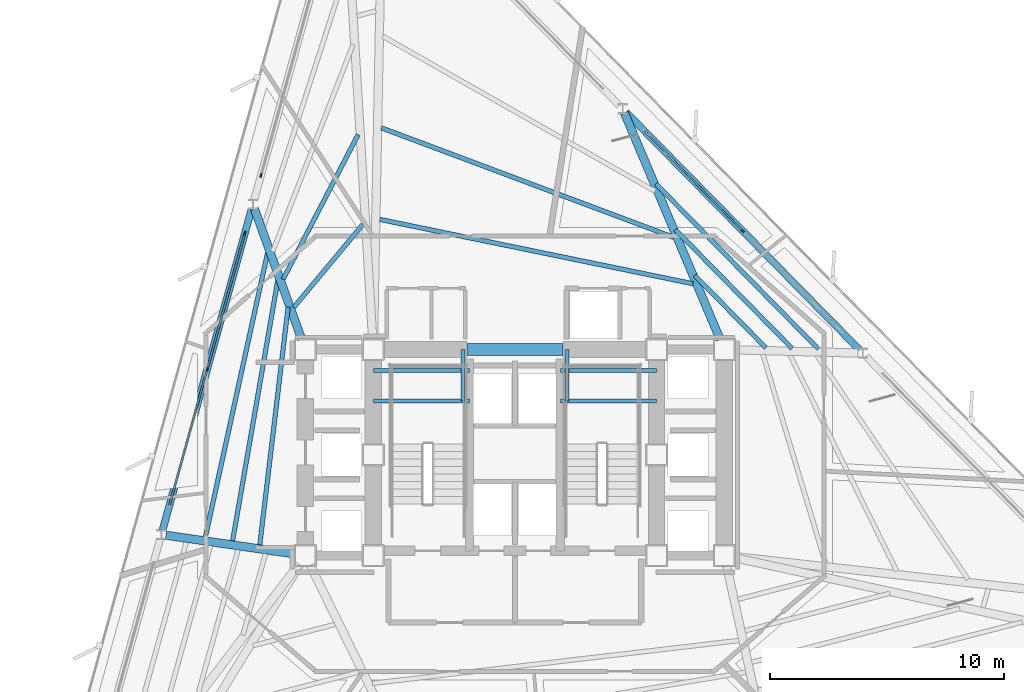
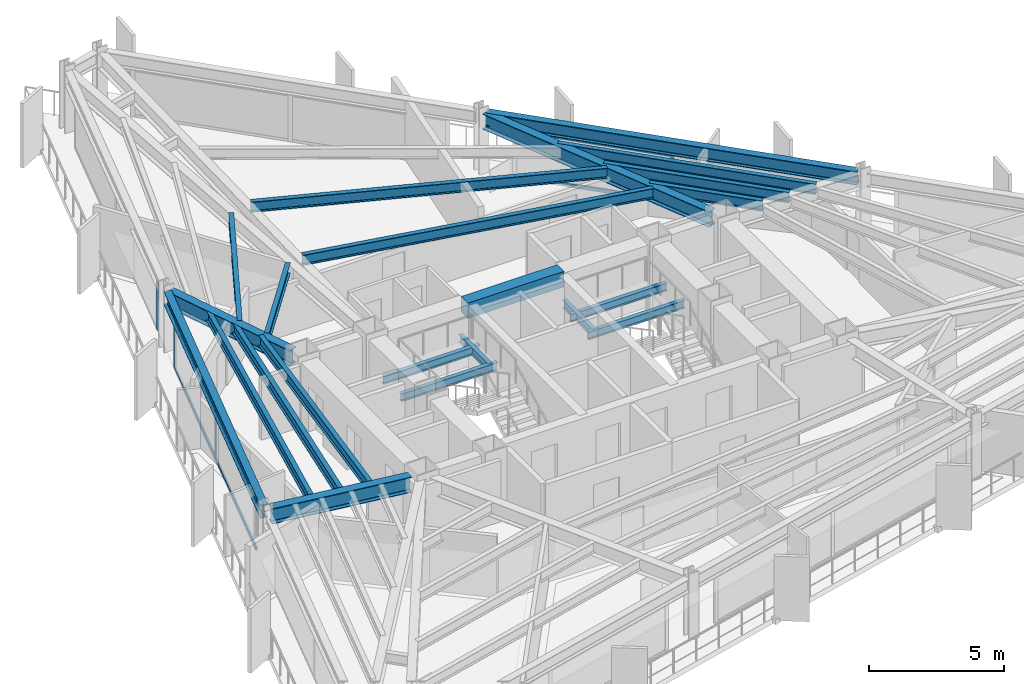
# One storey, part 3 of 11: 22 beams, 10 members, 3 elements without a shape of their own.
"""IFC4 building model written with IfcOpenShell, lengths in metres."""

from ifc_helpers import new_model, si_unit, direction, frame, origin, origin_2d, place, context, subcontext, project, spatial, rectangle, i_section, extrude, material, layer, layer_set, material_profile, profile_set, type_object, element, aggregate, save


model = new_model("IFC4")

# Units and contexts
model_context = context("Model", 3, precision=1e-05, world=origin(), true_north=direction((0.0, 1.0)))
body_context = subcontext(model_context, "Body", "Model", "MODEL_VIEW")
ifc_project = project(units=[si_unit("LENGTHUNIT", "METRE"), si_unit("AREAUNIT", "SQUARE_METRE"), si_unit("VOLUMEUNIT", "CUBIC_METRE"), si_unit("PLANEANGLEUNIT", "RADIAN"), si_unit("MASSUNIT", "GRAM", prefix="KILO")], contexts=[model_context])

# Site, building, storey
site_placement = place(None, origin())
site = spatial("IfcSite", under=ifc_project, at=site_placement, CompositionType="ELEMENT")
building_placement = place(site_placement, origin())
building = spatial("IfcBuilding", under=site, at=building_placement, Name="Rocaltana Carrier Exchange", CompositionType="ELEMENT")
storey_placement = place(building_placement, frame((0.0, 0.0, 94.719970703125)))
storey = spatial("IfcBuildingStorey", under=building, at=storey_placement, Name="L29", CompositionType="ELEMENT", Elevation=94.719970703125)

# Curtain wall, member
ifc_material_1 = material(Name="Aluminium 6063-T6", Category="aluminium")
ifc_layer = layer(ifc_material_1, 0.1650390625)
ifc_layer_set = layer_set([ifc_layer], Name="Aluminium 6063-T6")
curtain_wall_type = type_object("IfcCurtainWallType", Name="Lower-Mid Stepped Curtain Wall CW-02", PredefinedType="NOTDEFINED", material=ifc_layer_set)
curtain_wall_1_placement = place(storey_placement, origin())
curtain_wall_1 = element("IfcCurtainWall", 1, at=curtain_wall_1_placement, inside=storey, type_object=curtain_wall_type, Name="L29 CW-02 Run CW-L29-F1S2", PredefinedType="NOTDEFINED")
ifc_material_2 = material(Name="Aluminium 6063-T6", Category="aluminium")
ifc_material_profile_1 = material_profile(ifc_material_2, rectangle(XDim=0.06494140625, YDim=0.1650390625, at=origin_2d()), Name="AL-65X165")
ifc_profile_set_1 = profile_set([ifc_material_profile_1], Name="Aluminium 6063-T6")
member_type_1 = type_object("IfcMemberType", Name="CW-02 Mullion AL-65X165", PredefinedType="MULLION", material=ifc_profile_set_1)
member_1_placement = place(storey_placement, frame((9.732666015625, 9.564453125, 0.0), z_axis=(0.0, 0.0, 1.0), x_axis=(-0.713244696676, -0.700915118017, 0.0)))
member_1 = element("IfcMember", 2, at=member_1_placement, type_object=member_type_1, Name="CW-02 mullion 2", PredefinedType="MULLION", context=body_context, shape_type="SweptSolid", body=[
    extrude(rectangle(XDim=0.06494140625, YDim=0.1650390625, at=origin_2d()), origin(), (0.0, 0.0, 1.0), 2.16796875),
])

curtain_wall_2_placement = place(storey_placement, origin())
curtain_wall_2 = element("IfcCurtainWall", 3, at=curtain_wall_2_placement, inside=storey, type_object=curtain_wall_type, Name="L29 CW-02 Run CW-L29-F2S1", PredefinedType="NOTDEFINED")
member_2_placement = place(storey_placement, frame((-10.851318359375, 11.93310546875, 0.0), z_axis=(0.0, 0.0, 1.0), x_axis=(0.96362846453, -0.267245546918, 0.0)))
member_2 = element("IfcMember", 4, at=member_2_placement, type_object=member_type_1, Name="CW-02 mullion 3", PredefinedType="MULLION", context=body_context, shape_type="SweptSolid", body=[
    extrude(rectangle(XDim=0.06494140625, YDim=0.1650390625, at=origin_2d()), origin(), (0.0, 0.0, 1.0), 2.16796875),
])
aggregate(curtain_wall_2, [member_2])

# Curtain wall, members
curtain_wall_3_placement = place(storey_placement, origin())
curtain_wall_3 = element("IfcCurtainWall", 5, at=curtain_wall_3_placement, inside=storey, type_object=curtain_wall_type, Name="L29 CW-02 Run CW-L29-F2S2", PredefinedType="NOTDEFINED")
member_3_placement = place(storey_placement, frame((-11.536865234375, 9.46142578125, 0.0), z_axis=(0.0, 0.0, 1.0), x_axis=(0.963630586954, -0.267237893807, 0.0)))
member_3 = element("IfcMember", 6, at=member_3_placement, type_object=member_type_1, Name="CW-02 mullion 1", PredefinedType="MULLION", context=body_context, shape_type="SweptSolid", body=[
    extrude(rectangle(XDim=0.06494140625, YDim=0.1650390625, at=origin_2d()), origin(), (0.0, 0.0, 1.0), 2.16796875),
])
member_4_placement = place(storey_placement, frame((-13.1494140625, 3.646728515625, 0.0), z_axis=(0.0, 0.0, 1.0), x_axis=(0.963630586954, -0.267237893807, 0.0)))
member_4 = element("IfcMember", 7, at=member_4_placement, type_object=member_type_1, Name="CW-02 mullion 2", PredefinedType="MULLION", context=body_context, shape_type="SweptSolid", body=[
    extrude(rectangle(XDim=0.06494140625, YDim=0.1650390625, at=origin_2d()), origin(), (0.0, 0.0, 1.0), 2.16796875),
])

# Member
ifc_material_3 = material(Name="Aluminium 6063-T6", Category="aluminium")
ifc_material_profile_2 = material_profile(ifc_material_3, rectangle(XDim=0.06494140625, YDim=0.1650390625, at=origin_2d()), Name="AL-65X165")
ifc_profile_set_2 = profile_set([ifc_material_profile_2], Name="Aluminium 6063-T6")
member_type_2 = type_object("IfcMemberType", Name="CW-02 Transom AL-65X165", PredefinedType="USERDEFINED", material=ifc_profile_set_2)
member_5_placement = place(storey_placement, frame((9.7099609375, 9.587646484375, 0.032470703125), z_axis=(-0.700924352217, 0.713235621985, 0.0), x_axis=(-0.713235621985, -0.700924352217, 0.0)))
member_5 = element("IfcMember", 8, at=member_5_placement, type_object=member_type_2, Name="CW-02 transom 2.1", ObjectType="TRANSOM", PredefinedType="USERDEFINED", context=body_context, shape_type="SweptSolid", body=[
    extrude(rectangle(XDim=0.06494140625, YDim=0.1650390625, at=origin_2d()), origin(), (0.0, 0.0, 1.0), 5.968994140625),
])

member_6_placement = place(storey_placement, frame((9.7099609375, 9.587646484375, 2.135498046875), z_axis=(-0.700924352217, 0.713235621985, 0.0), x_axis=(-0.713235621985, -0.700924352217, 0.0)))
member_6 = element("IfcMember", 9, at=member_6_placement, type_object=member_type_2, Name="CW-02 transom 2.2", ObjectType="TRANSOM", PredefinedType="USERDEFINED", context=body_context, shape_type="SweptSolid", body=[
    extrude(rectangle(XDim=0.06494140625, YDim=0.1650390625, at=origin_2d()), origin(), (0.0, 0.0, 1.0), 5.968994140625),
])

aggregate(curtain_wall_1, [member_1, member_5, member_6])

member_7_placement = place(storey_placement, frame((-11.54541015625, 9.43017578125, 0.032470703125), z_axis=(-0.267236720875, -0.963630912235, 0.0), x_axis=(0.963630912235, -0.267236720875, 0.0)))
member_7 = element("IfcMember", 10, at=member_7_placement, type_object=member_type_2, Name="CW-02 transom 1.1", ObjectType="TRANSOM", PredefinedType="USERDEFINED", context=body_context, shape_type="SweptSolid", body=[
    extrude(rectangle(XDim=0.06494140625, YDim=0.1650390625, at=origin_2d()), origin(), (0.0, 0.0, 1.0), 5.96923828125),
])

member_8_placement = place(storey_placement, frame((-11.54541015625, 9.43017578125, 2.135498046875), z_axis=(-0.267236720875, -0.963630912235, 0.0), x_axis=(0.963630912235, -0.267236720875, 0.0)))
member_8 = element("IfcMember", 11, at=member_8_placement, type_object=member_type_2, Name="CW-02 transom 1.2", ObjectType="TRANSOM", PredefinedType="USERDEFINED", context=body_context, shape_type="SweptSolid", body=[
    extrude(rectangle(XDim=0.06494140625, YDim=0.1650390625, at=origin_2d()), origin(), (0.0, 0.0, 1.0), 5.96923828125),
])

member_9_placement = place(storey_placement, frame((-13.157958984375, 3.615234375, 0.032470703125), z_axis=(-0.26724725359, -0.963627991213, 0.0), x_axis=(0.963627991213, -0.26724725359, 0.0)))
member_9 = element("IfcMember", 12, at=member_9_placement, type_object=member_type_2, Name="CW-02 transom 2.1", ObjectType="TRANSOM", PredefinedType="USERDEFINED", context=body_context, shape_type="SweptSolid", body=[
    extrude(rectangle(XDim=0.06494140625, YDim=0.1650390625, at=origin_2d()), origin(), (0.0, 0.0, 1.0), 5.968994140625),
])

member_10_placement = place(storey_placement, frame((-13.157958984375, 3.615234375, 2.135498046875), z_axis=(-0.26724725359, -0.963627991213, 0.0), x_axis=(0.963627991213, -0.26724725359, 0.0)))
member_10 = element("IfcMember", 13, at=member_10_placement, type_object=member_type_2, Name="CW-02 transom 2.2", ObjectType="TRANSOM", PredefinedType="USERDEFINED", context=body_context, shape_type="SweptSolid", body=[
    extrude(rectangle(XDim=0.06494140625, YDim=0.1650390625, at=origin_2d()), origin(), (0.0, 0.0, 1.0), 5.968994140625),
])

aggregate(curtain_wall_3, [member_3, member_4, member_7, member_8, member_9, member_10])

# Beams
ifc_material_4 = material(Name="Concrete C60/75", Category="concrete")
ifc_material_profile_3 = material_profile(ifc_material_4, rectangle(XDim=0.5, YDim=0.699951171875, at=origin_2d()), Name="RC-BM-500X700")
ifc_profile_set_3 = profile_set([ifc_material_profile_3], Name="Concrete C60/75")
beam_type_1 = type_object("IfcBeamType", Name="Core Coupling Lintel 500x700", PredefinedType="LINTEL", material=ifc_profile_set_3)
beam_1_placement = place(storey_placement, frame((-2.050048828125, 4.5, 2.43798828125), z_axis=(1.0, 0.0, 0.0), x_axis=(0.0, 1.0, 0.0)))
element("IfcBeam", 14, at=beam_1_placement, inside=storey, type_object=beam_type_1, Name="L29 Core Coupling Lintel CL-N", PredefinedType="LINTEL", context=body_context, shape_type="SweptSolid", body=[
    extrude(rectangle(XDim=0.5, YDim=0.699951171875, at=origin_2d()), origin(), (0.0, 0.0, 1.0), 4.10009765625),
])
ifc_material_5 = material(Name="Steel S355", Category="steel")
ifc_material_profile_4 = material_profile(ifc_material_5, i_section(OverallWidth=0.172119140625, OverallDepth=0.35791015625, WebThickness=0.0078125, FlangeThickness=0.01318359375, FilletRadius=0.011962890625, at=origin_2d()), Name="W14X38")
ifc_profile_set_4 = profile_set([ifc_material_profile_4], Name="Steel S355")
beam_type_2 = type_object("IfcBeamType", Name="Floor Joist W14X38", PredefinedType="JOIST", material=ifc_profile_set_4)
for number, where, z_axis, x_axis, name in (
    (15, (-6.050048828125, 2.300048828125, 1.14111328125), (1.0, 0.0, 0.0), (0.0, 1.0, 0.0), "L29 ST-1 Landing Carrier 1"),
    (16, (1.93994140625, 2.300048828125, 1.14111328125), (1.0, 0.0, 0.0), (0.0, 1.0, 0.0), "L29 ST-2 Landing Carrier 1"),
    (17, (-6.050048828125, 3.60009765625, 1.14111328125), (1.0, 0.0, 0.0), (0.0, 1.0, 0.0), "L29 ST-1 Landing Carrier 2"),
    (18, (1.93994140625, 3.60009765625, 1.14111328125), (1.0, 0.0, 0.0), (0.0, 1.0, 0.0), "L29 ST-2 Landing Carrier 2"),
):
    element("IfcBeam", number, at=place(storey_placement, frame(where, z_axis=z_axis, x_axis=x_axis)), inside=storey, type_object=beam_type_2, Name=name, PredefinedType="JOIST", context=body_context, shape_type="SweptSolid", body=[
        extrude(i_section(OverallWidth=0.172119140625, OverallDepth=0.35791015625, WebThickness=0.0078125, FlangeThickness=0.01318359375, FilletRadius=0.011962890625, at=origin_2d()), origin(), (0.0, 0.0, 1.0), 4.110107421875),
    ])
for number, where, z_axis, x_axis, name in (
    (19, (-2.219970703125, 2.300048828125, 1.14111328125), (0.0, 1.0, 0.0), (-1.0, 0.0, 0.0), "L29 ST-1 Landing Cross Trimmer"),
    (20, (2.219970703125, 2.300048828125, 1.14111328125), (0.0, 1.0, 0.0), (-1.0, 0.0, 0.0), "L29 ST-2 Landing Cross Trimmer"),
):
    element("IfcBeam", number, at=place(storey_placement, frame(where, z_axis=z_axis, x_axis=x_axis)), inside=storey, type_object=beam_type_2, Name=name, PredefinedType="JOIST", context=body_context, shape_type="SweptSolid", body=[
        extrude(i_section(OverallWidth=0.172119140625, OverallDepth=0.35791015625, WebThickness=0.0078125, FlangeThickness=0.01318359375, FilletRadius=0.011962890625, at=origin_2d()), origin(), (0.0, 0.0, 1.0), 2.199951171875),
    ])
ifc_material_6 = material(Name="Steel S355", Category="steel")
ifc_material_profile_5 = material_profile(ifc_material_6, i_section(OverallWidth=0.193115234375, OverallDepth=0.466064453125, WebThickness=0.011474609375, FlangeThickness=0.01904296875, FilletRadius=0.013916015625, at=origin_2d()), Name="W18X65")
ifc_profile_set_5 = profile_set([ifc_material_profile_5], Name="Steel S355")
beam_type_3 = type_object("IfcBeamType", Name="Floor Joist W18X65", PredefinedType="JOIST", material=ifc_profile_set_5)
beam_2_placement = place(storey_placement, frame((10.72119140625, 4.572998046875, 2.554931640625), z_axis=(-0.700891063864, 0.713268334216, 0.0), x_axis=(-0.713268334216, -0.700891063864, 0.0)))
element("IfcBeam", 21, at=beam_2_placement, inside=storey, type_object=beam_type_3, Name="FJ-L29-02-1", PredefinedType="JOIST", context=body_context, shape_type="SweptSolid", body=[
    extrude(i_section(OverallWidth=0.193115234375, OverallDepth=0.466064453125, WebThickness=0.011474609375, FlangeThickness=0.01904296875, FilletRadius=0.013916015625, at=origin_2d()), origin(), (0.0, 0.0, 1.0), 4.339599609375),
])
beam_3_placement = place(storey_placement, frame((11.844482421875, 4.543701171875, 2.554931640625), z_axis=(-0.700907768136, 0.713251919427, 0.0), x_axis=(-0.713251919427, -0.700907768136, 0.0)))
element("IfcBeam", 22, at=beam_3_placement, inside=storey, type_object=beam_type_3, Name="FJ-L29-02-2", PredefinedType="JOIST", context=body_context, shape_type="SweptSolid", body=[
    extrude(i_section(OverallWidth=0.193115234375, OverallDepth=0.466064453125, WebThickness=0.011474609375, FlangeThickness=0.01904296875, FilletRadius=0.013916015625, at=origin_2d()), origin(), (0.0, 0.0, 1.0), 7.1201171875),
])
beam_4_placement = place(storey_placement, frame((12.967529296875, 4.514404296875, 2.554931640625), z_axis=(-0.700914872746, 0.713244937706, 0.0), x_axis=(-0.713244937706, -0.700914872746, 0.0)))
element("IfcBeam", 23, at=beam_4_placement, inside=storey, type_object=beam_type_3, Name="FJ-L29-02-3", PredefinedType="JOIST", context=body_context, shape_type="SweptSolid", body=[
    extrude(i_section(OverallWidth=0.193115234375, OverallDepth=0.466064453125, WebThickness=0.011474609375, FlangeThickness=0.01904296875, FilletRadius=0.013916015625, at=origin_2d()), origin(), (0.0, 0.0, 1.0), 9.900146484375),
])
beam_5_placement = place(storey_placement, frame((7.608642578125, 7.310791015625, 2.554931640625), z_axis=(-0.979548911699, 0.201206186758, 0.0), x_axis=(-0.201206186758, -0.979548911699, 0.0)))
element("IfcBeam", 24, at=beam_5_placement, inside=storey, type_object=beam_type_3, Name="FJ-L29-03-1", PredefinedType="JOIST", context=body_context, shape_type="SweptSolid", body=[
    extrude(i_section(OverallWidth=0.193115234375, OverallDepth=0.466064453125, WebThickness=0.011474609375, FlangeThickness=0.01904296875, FilletRadius=0.013916015625, at=origin_2d()), origin(), (0.0, 0.0, 1.0), 13.66259765625),
])
beam_6_placement = place(storey_placement, frame((6.790283203125, 9.290283203125, 2.554931640625), z_axis=(-0.936459936045, 0.35077455464, 0.0), x_axis=(-0.35077455464, -0.936459936045, 0.0)))
element("IfcBeam", 25, at=beam_6_placement, inside=storey, type_object=beam_type_3, Name="FJ-L29-03-2", PredefinedType="JOIST", context=body_context, shape_type="SweptSolid", body=[
    extrude(i_section(OverallWidth=0.193115234375, OverallDepth=0.466064453125, WebThickness=0.011474609375, FlangeThickness=0.01904296875, FilletRadius=0.013916015625, at=origin_2d()), origin(), (0.0, 0.0, 1.0), 13.344482421875),
])
beam_7_placement = place(storey_placement, frame((-6.492919921875, 9.848876953125, 2.554931640625), z_axis=(-0.640163577039, -0.768238631307, 0.0), x_axis=(0.768238631307, -0.640163577039, 0.0)))
element("IfcBeam", 26, at=beam_7_placement, inside=storey, type_object=beam_type_3, Name="FJ-L29-05-1", PredefinedType="JOIST", context=body_context, shape_type="SweptSolid", body=[
    extrude(i_section(OverallWidth=0.193115234375, OverallDepth=0.466064453125, WebThickness=0.011474609375, FlangeThickness=0.01904296875, FilletRadius=0.013916015625, at=origin_2d()), origin(), (0.0, 0.0, 1.0), 4.613037109375),
])
beam_8_placement = place(storey_placement, frame((-6.6962890625, 13.68505859375, 2.554931640625), z_axis=(-0.46048496637, -0.887667502924, 0.0), x_axis=(0.887667502924, -0.46048496637, 0.0)))
element("IfcBeam", 27, at=beam_8_placement, inside=storey, type_object=beam_type_3, Name="FJ-L29-05-2", PredefinedType="JOIST", context=body_context, shape_type="SweptSolid", body=[
    extrude(i_section(OverallWidth=0.193115234375, OverallDepth=0.466064453125, WebThickness=0.011474609375, FlangeThickness=0.01904296875, FilletRadius=0.013916015625, at=origin_2d()), origin(), (0.0, 0.0, 1.0), 6.96435546875),
])
beam_9_placement = place(storey_placement, frame((-9.6884765625, 6.312744140625, 2.554931640625), z_axis=(-0.118374284941, -0.992969047184, 0.0), x_axis=(0.992969047184, -0.118374284941, 0.0)))
element("IfcBeam", 28, at=beam_9_placement, inside=storey, type_object=beam_type_3, Name="FJ-L29-06-1", PredefinedType="JOIST", context=body_context, shape_type="SweptSolid", body=[
    extrude(i_section(OverallWidth=0.193115234375, OverallDepth=0.466064453125, WebThickness=0.011474609375, FlangeThickness=0.01904296875, FilletRadius=0.013916015625, at=origin_2d()), origin(), (0.0, 0.0, 1.0), 10.227783203125),
])
beam_10_placement = place(storey_placement, frame((-10.123779296875, 7.49169921875, 2.554931640625), z_axis=(-0.170820187973, -0.985302219312, 0.0), x_axis=(0.985302219312, -0.170820187973, 0.0)))
element("IfcBeam", 29, at=beam_10_placement, inside=storey, type_object=beam_type_3, Name="FJ-L29-06-2", PredefinedType="JOIST", context=body_context, shape_type="SweptSolid", body=[
    extrude(i_section(OverallWidth=0.193115234375, OverallDepth=0.466064453125, WebThickness=0.011474609375, FlangeThickness=0.01904296875, FilletRadius=0.013916015625, at=origin_2d()), origin(), (0.0, 0.0, 1.0), 11.332275390625),
])
beam_11_placement = place(storey_placement, frame((-10.5576171875, 8.67041015625, 2.554931640625), z_axis=(-0.213747702255, -0.976888898381, 0.0), x_axis=(0.976888898381, -0.213747702255, 0.0)))
element("IfcBeam", 30, at=beam_11_placement, inside=storey, type_object=beam_type_3, Name="FJ-L29-06-3", PredefinedType="JOIST", context=body_context, shape_type="SweptSolid", body=[
    extrude(i_section(OverallWidth=0.193115234375, OverallDepth=0.466064453125, WebThickness=0.011474609375, FlangeThickness=0.01904296875, FilletRadius=0.013916015625, at=origin_2d()), origin(), (0.0, 0.0, 1.0), 12.463623046875),
])
ifc_material_7 = material(Name="Steel S355", Category="steel")
ifc_material_profile_6 = material_profile(ifc_material_7, i_section(OverallWidth=0.35498046875, OverallDepth=0.695068359375, WebThickness=0.015380859375, FlangeThickness=0.02490234375, FilletRadius=0.01806640625, at=origin_2d()), Name="W27X146")
ifc_profile_set_6 = profile_set([ifc_material_profile_6], Name="Steel S355")
beam_type_4 = type_object("IfcBeamType", Name="Radial Girder W27X146", PredefinedType="BEAM", material=ifc_profile_set_6)
beam_12_placement = place(storey_placement, frame((8.768310546875, 4.93017578125, 2.4404296875), z_axis=(-0.389283409267, 0.921118031128, 0.0), x_axis=(-0.921118031128, -0.389283409267, 0.0)))
element("IfcBeam", 31, at=beam_12_placement, inside=storey, type_object=beam_type_4, Name="RG-L29-03", PredefinedType="BEAM", context=body_context, shape_type="SweptSolid", body=[
    extrude(i_section(OverallWidth=0.35498046875, OverallDepth=0.695068359375, WebThickness=0.015380859375, FlangeThickness=0.02490234375, FilletRadius=0.01806640625, at=origin_2d()), origin(), (0.0, 0.0, 1.0), 10.49853515625),
])
beam_13_placement = place(storey_placement, frame((-9.10888671875, 4.939208984375, 2.4404296875), z_axis=(-0.340508906611, 0.940241290584, 0.0), x_axis=(-0.940241290584, -0.340508906611, 0.0)))
element("IfcBeam", 32, at=beam_13_placement, inside=storey, type_object=beam_type_4, Name="RG-L29-06", PredefinedType="BEAM", context=body_context, shape_type="SweptSolid", body=[
    extrude(i_section(OverallWidth=0.35498046875, OverallDepth=0.695068359375, WebThickness=0.015380859375, FlangeThickness=0.02490234375, FilletRadius=0.01806640625, at=origin_2d()), origin(), (0.0, 0.0, 1.0), 5.92578125),
])
beam_14_placement = place(storey_placement, frame((-9.412109375, -4.232666015625, 2.4404296875), z_axis=(-0.989566167389, 0.144079146162, 0.0), x_axis=(-0.144079146162, -0.989566167389, 0.0)))
element("IfcBeam", 33, at=beam_14_placement, inside=storey, type_object=beam_type_4, Name="RG-L29-07", PredefinedType="BEAM", context=body_context, shape_type="SweptSolid", body=[
    extrude(i_section(OverallWidth=0.35498046875, OverallDepth=0.695068359375, WebThickness=0.015380859375, FlangeThickness=0.02490234375, FilletRadius=0.01806640625, at=origin_2d()), origin(), (0.0, 0.0, 1.0), 5.554443359375),
])
ifc_material_8 = material(Name="Steel S355", Category="steel")
ifc_material_profile_7 = material_profile(ifc_material_8, i_section(OverallWidth=0.300048828125, OverallDepth=0.60009765625, WebThickness=0.015380859375, FlangeThickness=0.030029296875, FilletRadius=0.027099609375, at=origin_2d()), Name="HEB600")
ifc_profile_set_7 = profile_set([ifc_material_profile_7], Name="Steel S355")
beam_type_5 = type_object("IfcBeamType", Name="Spandrel Edge Beam HEB600", PredefinedType="SPANDREL", material=ifc_profile_set_7)
beam_15_placement = place(storey_placement, frame((14.722412109375, 4.48681640625, 2.488037109375), z_axis=(-0.700906711307, 0.713252957965, 0.0), x_axis=(-0.713252957965, -0.700906711307, 0.0)))
element("IfcBeam", 34, at=beam_15_placement, inside=storey, type_object=beam_type_5, Name="SP-L29-02", PredefinedType="SPANDREL", context=body_context, shape_type="SweptSolid", body=[
    extrude(i_section(OverallWidth=0.300048828125, OverallDepth=0.60009765625, WebThickness=0.015380859375, FlangeThickness=0.030029296875, FilletRadius=0.027099609375, at=origin_2d()), origin(), (0.0, 0.0, 1.0), 14.237548828125),
])
beam_16_placement = place(storey_placement, frame((-11.2470703125, 10.50634765625, 2.488037109375), z_axis=(-0.267234351395, -0.963631569343, 0.0), x_axis=(0.963631569343, -0.267234351395, 0.0)))
element("IfcBeam", 35, at=beam_16_placement, inside=storey, type_object=beam_type_5, Name="SP-L29-06", PredefinedType="SPANDREL", context=body_context, shape_type="SweptSolid", body=[
    extrude(i_section(OverallWidth=0.300048828125, OverallDepth=0.60009765625, WebThickness=0.015380859375, FlangeThickness=0.030029296875, FilletRadius=0.027099609375, at=origin_2d()), origin(), (0.0, 0.0, 1.0), 14.2373046875),
])

save(model, "model.ifc")
